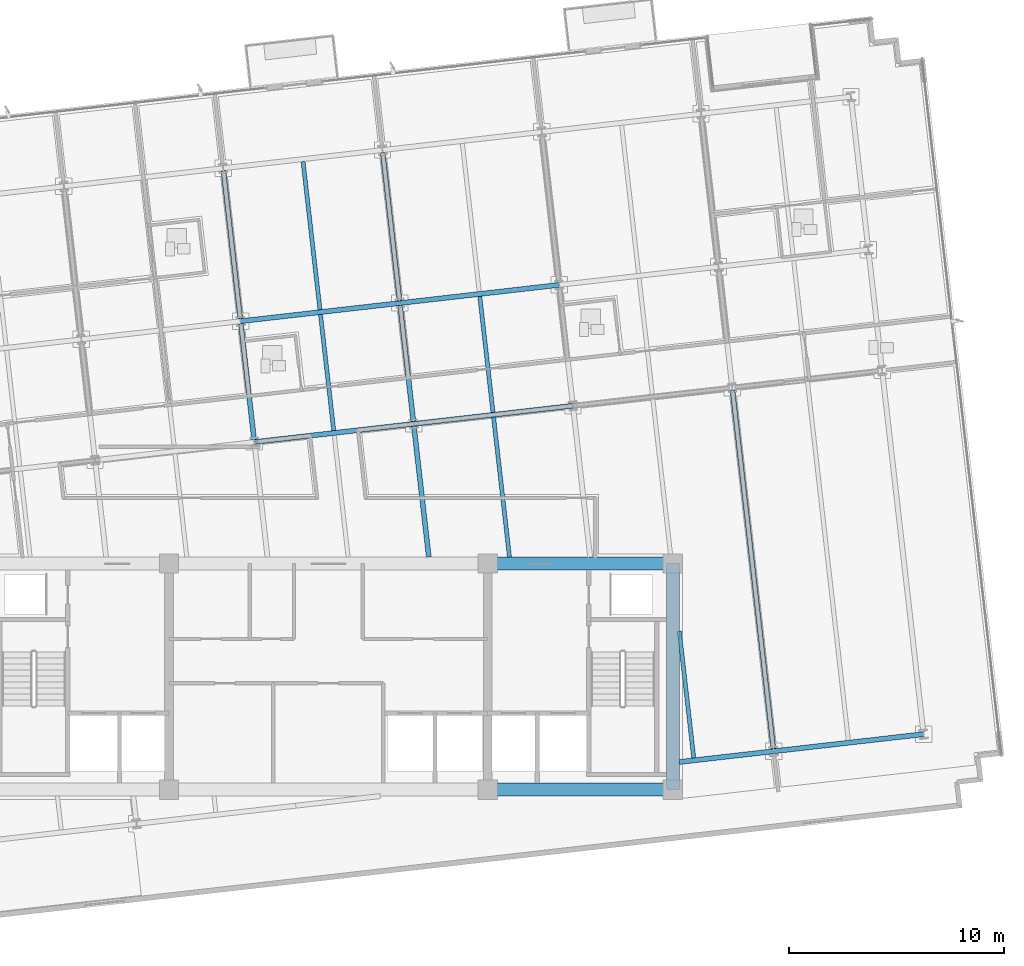
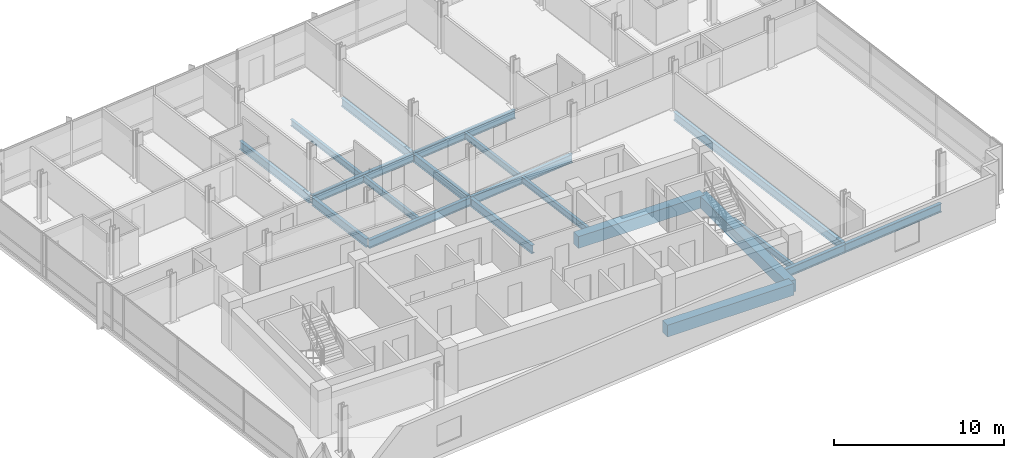
# One storey, part 4 of 16: 20 beams.
"""IFC4 building model written with IfcOpenShell, lengths in metres."""

from ifc_helpers import new_model, si_unit, direction, frame, origin, origin_2d, place, context, subcontext, project, spatial, rectangle, i_section, extrude, material, material_profile, profile_set, type_object, element, save


model = new_model("IFC4")

# Units and contexts
model_context = context("Model", 3, precision=1e-05, world=origin(), true_north=direction((0.0, 1.0)))
body_context = subcontext(model_context, "Body", "Model", "MODEL_VIEW")
ifc_project = project(units=[si_unit("LENGTHUNIT", "METRE"), si_unit("AREAUNIT", "SQUARE_METRE"), si_unit("VOLUMEUNIT", "CUBIC_METRE"), si_unit("PLANEANGLEUNIT", "RADIAN"), si_unit("MASSUNIT", "GRAM", prefix="KILO")], contexts=[model_context])

# Site, building, storey
site_placement = place(None, origin())
site = spatial("IfcSite", under=ifc_project, at=site_placement, CompositionType="ELEMENT")
building_placement = place(site_placement, origin())
building = spatial("IfcBuilding", under=site, at=building_placement, Name="Solmavex Isthmus Hotel", CompositionType="ELEMENT")
storey_placement = place(building_placement, frame((0.0, 0.0, 222.75)))
storey = spatial("IfcBuildingStorey", under=building, at=storey_placement, Name="L60", CompositionType="ELEMENT", Elevation=222.75)

# Beams
ifc_material_1 = material(Name="Steel ASTM A992 Grade 50", Category="steel")
ifc_material_profile_1 = material_profile(ifc_material_1, i_section(OverallWidth=0.1904296875, OverallDepth=0.456787109375, WebThickness=0.009033203125, FlangeThickness=0.014404296875, FilletRadius=0.0126953125, at=origin_2d()), Name="W18X50")
ifc_profile_set_1 = profile_set([ifc_material_profile_1], Name="Steel ASTM A992 Grade 50")
beam_type_1 = type_object("IfcBeamType", Name="BM-BJ-W18X50", PredefinedType="JOIST", material=ifc_profile_set_1)
beam_1_placement = place(storey_placement, frame((0.250244140625, 3.67822265625, -0.488525390625), z_axis=(-0.113194691868, 0.993572826587, 0.0), x_axis=(-0.993572826587, -0.113194691868, 0.0)))
element("IfcBeam", 1, at=beam_1_placement, inside=storey, type_object=beam_type_1, Name="Secondary Floor Joist L60-J10", PredefinedType="JOIST", context=body_context, shape_type="SweptSolid", body=[
    extrude(i_section(OverallWidth=0.1904296875, OverallDepth=0.456787109375, WebThickness=0.009033203125, FlangeThickness=0.014404296875, FilletRadius=0.0126953125, at=origin_2d()), origin(), (0.0, 0.0, 1.0), 5.420166015625),
])
beam_2_placement = place(storey_placement, frame((-0.38916015625, 9.289794921875, -0.488525390625), z_axis=(-0.113202453846, 0.993571942258, 0.0), x_axis=(-0.993571942258, -0.113202453846, 0.0)))
element("IfcBeam", 2, at=beam_2_placement, inside=storey, type_object=beam_type_1, Name="Secondary Floor Joist L60-J11", PredefinedType="JOIST", context=body_context, shape_type="SweptSolid", body=[
    extrude(i_section(OverallWidth=0.1904296875, OverallDepth=0.456787109375, WebThickness=0.009033203125, FlangeThickness=0.014404296875, FilletRadius=0.0126953125, at=origin_2d()), origin(), (0.0, 0.0, 1.0), 6.9228515625),
])
beam_3_placement = place(storey_placement, frame((8.414306640625, -2.199951171875, -0.488525390625), z_axis=(-0.113206345873, 0.993571498813, 0.0), x_axis=(-0.993571498813, -0.113206345873, 0.0)))
element("IfcBeam", 3, at=beam_3_placement, inside=storey, type_object=beam_type_1, Name="Secondary Floor Joist L60-J12", PredefinedType="JOIST", context=body_context, shape_type="SweptSolid", body=[
    extrude(i_section(OverallWidth=0.1904296875, OverallDepth=0.456787109375, WebThickness=0.009033203125, FlangeThickness=0.014404296875, FilletRadius=0.0126953125, at=origin_2d()), origin(), (0.0, 0.0, 1.0), 6.53662109375),
])
beam_4_placement = place(storey_placement, frame((7.6484375, 4.521240234375, -0.488525390625), z_axis=(-0.113194691868, 0.993572826587, 0.0), x_axis=(-0.993572826587, -0.113194691868, 0.0)))
element("IfcBeam", 4, at=beam_4_placement, inside=storey, type_object=beam_type_1, Name="Secondary Floor Joist L60-J13", PredefinedType="JOIST", context=body_context, shape_type="SweptSolid", body=[
    extrude(i_section(OverallWidth=0.1904296875, OverallDepth=0.456787109375, WebThickness=0.009033203125, FlangeThickness=0.014404296875, FilletRadius=0.0126953125, at=origin_2d()), origin(), (0.0, 0.0, 1.0), 5.420166015625),
])
beam_5_placement = place(storey_placement, frame((16.970947265625, -11.525390625, -0.488525390625), z_axis=(-0.113202687678, 0.993571915617, 0.0), x_axis=(-0.993571915617, -0.113202687678, 0.0)))
element("IfcBeam", 5, at=beam_5_placement, inside=storey, type_object=beam_type_1, Name="Secondary Floor Joist L60-J15", PredefinedType="JOIST", context=body_context, shape_type="SweptSolid", body=[
    extrude(i_section(OverallWidth=0.1904296875, OverallDepth=0.456787109375, WebThickness=0.009033203125, FlangeThickness=0.014404296875, FilletRadius=0.0126953125, at=origin_2d()), origin(), (0.0, 0.0, 1.0), 5.926513671875),
])
ifc_material_profile_2 = material_profile(ifc_material_1, i_section(OverallWidth=0.227783203125, OverallDepth=0.602783203125, WebThickness=0.010498046875, FlangeThickness=0.014892578125, FilletRadius=0.01513671875, at=origin_2d()), Name="W24X68")
ifc_profile_set_2 = profile_set([ifc_material_profile_2], Name="Steel ASTM A992 Grade 50")
beam_type_2 = type_object("IfcBeamType", Name="BM-BM-W24X68", PredefinedType="BEAM", material=ifc_profile_set_2)
beam_6_placement = place(storey_placement, frame((-3.435791015625, 3.1435546875, -0.561279296875), z_axis=(0.993569926006, 0.113220148984, 0.0), x_axis=(-0.113220148984, 0.993569926006, 0.0)))
element("IfcBeam", 6, at=beam_6_placement, inside=storey, type_object=beam_type_2, Name="Floor Girder L60-UG08", PredefinedType="BEAM", context=body_context, shape_type="SweptSolid", body=[
    extrude(i_section(OverallWidth=0.227783203125, OverallDepth=0.602783203125, WebThickness=0.010498046875, FlangeThickness=0.014892578125, FilletRadius=0.01513671875, at=origin_2d()), origin(), (0.0, 0.0, 1.0), 7.44580078125),
])
for number, where, z_axis, x_axis, name in (
    (7, (3.962158203125, 3.986572265625, -0.561279296875), (0.993574034044, 0.113184092846, 0.0), (-0.113184092846, 0.993574034044, 0.0), "Floor Girder L60-UG09"),
    (8, (-4.0751953125, 8.75537109375, -0.561279296875), (0.993574034044, 0.113184092846, 0.0), (-0.113184092846, 0.993574034044, 0.0), "Floor Girder L60-UG14"),
):
    element("IfcBeam", number, at=place(storey_placement, frame(where, z_axis=z_axis, x_axis=x_axis)), inside=storey, type_object=beam_type_2, Name=name, PredefinedType="BEAM", context=body_context, shape_type="SweptSolid", body=[
        extrude(i_section(OverallWidth=0.227783203125, OverallDepth=0.602783203125, WebThickness=0.010498046875, FlangeThickness=0.014892578125, FilletRadius=0.01513671875, at=origin_2d()), origin(), (0.0, 0.0, 1.0), 7.446044921875),
    ])
beam_7_placement = place(storey_placement, frame((3.322998046875, 9.59814453125, -0.561279296875), z_axis=(0.993569926006, 0.113220148984, 0.0), x_axis=(-0.113220148984, 0.993569926006, 0.0)))
element("IfcBeam", 9, at=beam_7_placement, inside=storey, type_object=beam_type_2, Name="Floor Girder L60-UG15", PredefinedType="BEAM", context=body_context, shape_type="SweptSolid", body=[
    extrude(i_section(OverallWidth=0.227783203125, OverallDepth=0.602783203125, WebThickness=0.010498046875, FlangeThickness=0.014892578125, FilletRadius=0.01513671875, at=origin_2d()), origin(), (0.0, 0.0, 1.0), 7.44580078125),
])
beam_8_placement = place(storey_placement, frame((-3.44873046875, 3.2568359375, -0.561279296875), z_axis=(-0.113194691868, 0.993572826587, 0.0), x_axis=(-0.993572826587, -0.113194691868, 0.0)))
element("IfcBeam", 10, at=beam_8_placement, inside=storey, type_object=beam_type_2, Name="Floor Beam L60-VG32", PredefinedType="BEAM", context=body_context, shape_type="SweptSolid", body=[
    extrude(i_section(OverallWidth=0.227783203125, OverallDepth=0.602783203125, WebThickness=0.010498046875, FlangeThickness=0.014892578125, FilletRadius=0.01513671875, at=origin_2d()), origin(), (0.0, 0.0, 1.0), 5.420166015625),
])
beam_9_placement = place(storey_placement, frame((-4.088134765625, 8.868408203125, -0.561279296875), z_axis=(-0.113202453846, 0.993571942258, 0.0), x_axis=(-0.993571942258, -0.113202453846, 0.0)))
element("IfcBeam", 11, at=beam_9_placement, inside=storey, type_object=beam_type_2, Name="Floor Beam L60-VG33", PredefinedType="BEAM", context=body_context, shape_type="SweptSolid", body=[
    extrude(i_section(OverallWidth=0.227783203125, OverallDepth=0.602783203125, WebThickness=0.010498046875, FlangeThickness=0.014892578125, FilletRadius=0.01513671875, at=origin_2d()), origin(), (0.0, 0.0, 1.0), 6.9228515625),
])
beam_10_placement = place(storey_placement, frame((4.667236328125, -2.199951171875, -0.561279296875), z_axis=(-0.113232304752, 0.993568540746, 0.0), x_axis=(-0.993568540746, -0.113232304752, 0.0)))
element("IfcBeam", 12, at=beam_10_placement, inside=storey, type_object=beam_type_2, Name="Floor Beam L60-VG34", PredefinedType="BEAM", context=body_context, shape_type="SweptSolid", body=[
    extrude(i_section(OverallWidth=0.227783203125, OverallDepth=0.602783203125, WebThickness=0.010498046875, FlangeThickness=0.014892578125, FilletRadius=0.01513671875, at=origin_2d()), origin(), (0.0, 0.0, 1.0), 6.112548828125),
])
beam_11_placement = place(storey_placement, frame((3.949462890625, 4.099609375, -0.561279296875), z_axis=(-0.113234090386, 0.993568337244, 0.0), x_axis=(-0.993568337244, -0.113234090386, 0.0)))
element("IfcBeam", 13, at=beam_11_placement, inside=storey, type_object=beam_type_2, Name="Floor Beam L60-VG35", PredefinedType="BEAM", context=body_context, shape_type="SweptSolid", body=[
    extrude(i_section(OverallWidth=0.227783203125, OverallDepth=0.602783203125, WebThickness=0.010498046875, FlangeThickness=0.014892578125, FilletRadius=0.01513671875, at=origin_2d()), origin(), (0.0, 0.0, 1.0), 5.42041015625),
])
beam_12_placement = place(storey_placement, frame((3.31005859375, 9.71142578125, -0.561279296875), z_axis=(-0.113202453846, 0.993571942258, 0.0), x_axis=(-0.993571942258, -0.113202453846, 0.0)))
element("IfcBeam", 14, at=beam_12_placement, inside=storey, type_object=beam_type_2, Name="Floor Beam L60-VG36", PredefinedType="BEAM", context=body_context, shape_type="SweptSolid", body=[
    extrude(i_section(OverallWidth=0.227783203125, OverallDepth=0.602783203125, WebThickness=0.010498046875, FlangeThickness=0.014892578125, FilletRadius=0.01513671875, at=origin_2d()), origin(), (0.0, 0.0, 1.0), 6.9228515625),
])
beam_13_placement = place(storey_placement, frame((20.669921875, -11.10400390625, -0.561279296875), z_axis=(-0.113198426291, 0.993572401129, 0.0), x_axis=(-0.993572401129, -0.113198426291, 0.0)))
element("IfcBeam", 15, at=beam_13_placement, inside=storey, type_object=beam_type_2, Name="Floor Beam L60-VG40", PredefinedType="BEAM", context=body_context, shape_type="SweptSolid", body=[
    extrude(i_section(OverallWidth=0.227783203125, OverallDepth=0.602783203125, WebThickness=0.010498046875, FlangeThickness=0.014892578125, FilletRadius=0.01513671875, at=origin_2d()), origin(), (0.0, 0.0, 1.0), 16.77099609375),
])
ifc_material_2 = material(Name="Concrete C50/60", Category="concrete")
ifc_material_profile_3 = material_profile(ifc_material_2, rectangle(XDim=0.60009765625, YDim=0.85009765625, at=origin_2d()), Name="RC600X850")
ifc_profile_set_3 = profile_set([ifc_material_profile_3], Name="Concrete C50/60")
beam_type_3 = type_object("IfcBeamType", Name="BM-CB-600X850", PredefinedType="BEAM", material=ifc_profile_set_3)
for number, where, z_axis, x_axis, name in (
    (16, (7.39990234375, -13.0, -0.68505859375), (1.0, 0.0, 0.0), (0.0, 1.0, 0.0), "Core Coupling Beam L60-CB3"),
    (17, (7.39990234375, -2.5, -0.68505859375), (1.0, 0.0, 0.0), (0.0, 1.0, 0.0), "Core Coupling Beam L60-CB6"),
):
    element("IfcBeam", number, at=place(storey_placement, frame(where, z_axis=z_axis, x_axis=x_axis)), inside=storey, type_object=beam_type_3, Name=name, PredefinedType="BEAM", context=body_context, shape_type="SweptSolid", body=[
        extrude(rectangle(XDim=0.60009765625, YDim=0.85009765625, at=origin_2d()), origin(), (0.0, 0.0, 1.0), 8.60009765625),
    ])
beam_14_placement = place(storey_placement, frame((16.0, -13.0, -0.68505859375), z_axis=(0.0, 1.0, 0.0), x_axis=(-1.0, 0.0, 0.0)))
element("IfcBeam", 18, at=beam_14_placement, inside=storey, type_object=beam_type_3, Name="Core Coupling Beam L60-CB8", PredefinedType="BEAM", context=body_context, shape_type="SweptSolid", body=[
    extrude(rectangle(XDim=0.60009765625, YDim=0.85009765625, at=origin_2d()), origin(), (0.0, 0.0, 1.0), 10.5),
])
ifc_material_profile_4 = material_profile(ifc_material_1, i_section(OverallWidth=0.230224609375, OverallDepth=0.617431640625, WebThickness=0.01318359375, FlangeThickness=0.022216796875, FilletRadius=0.01513671875, at=origin_2d()), Name="W24X94")
ifc_profile_set_4 = profile_set([ifc_material_profile_4], Name="Steel ASTM A992 Grade 50")
beam_type_4 = type_object("IfcBeamType", Name="BM-SP-W24X94", PredefinedType="SPANDREL", material=ifc_profile_set_4)
beam_15_placement = place(storey_placement, frame((16.300048828125, -11.7177734375, -0.56884765625), z_axis=(0.993574880398, 0.113176662976, 0.0), x_axis=(-0.113176662976, 0.993574880398, 0.0)))
element("IfcBeam", 19, at=beam_15_placement, inside=storey, type_object=beam_type_4, Name="Floor Girder L60-UG04", PredefinedType="SPANDREL", context=body_context, shape_type="SweptSolid", body=[
    extrude(i_section(OverallWidth=0.230224609375, OverallDepth=0.617431640625, WebThickness=0.01318359375, FlangeThickness=0.022216796875, FilletRadius=0.01513671875, at=origin_2d()), origin(), (0.0, 0.0, 1.0), 4.411376953125),
])
beam_16_placement = place(storey_placement, frame((20.68310546875, -11.218505859375, -0.56884765625), z_axis=(0.993569675103, 0.113222350774, 0.0), x_axis=(-0.113222350774, 0.993569675103, 0.0)))
element("IfcBeam", 20, at=beam_16_placement, inside=storey, type_object=beam_type_4, Name="Floor Girder L60-UG05", PredefinedType="SPANDREL", context=body_context, shape_type="SweptSolid", body=[
    extrude(i_section(OverallWidth=0.230224609375, OverallDepth=0.617431640625, WebThickness=0.01318359375, FlangeThickness=0.022216796875, FilletRadius=0.01513671875, at=origin_2d()), origin(), (0.0, 0.0, 1.0), 7.008056640625),
])

save(model, "model.ifc")
